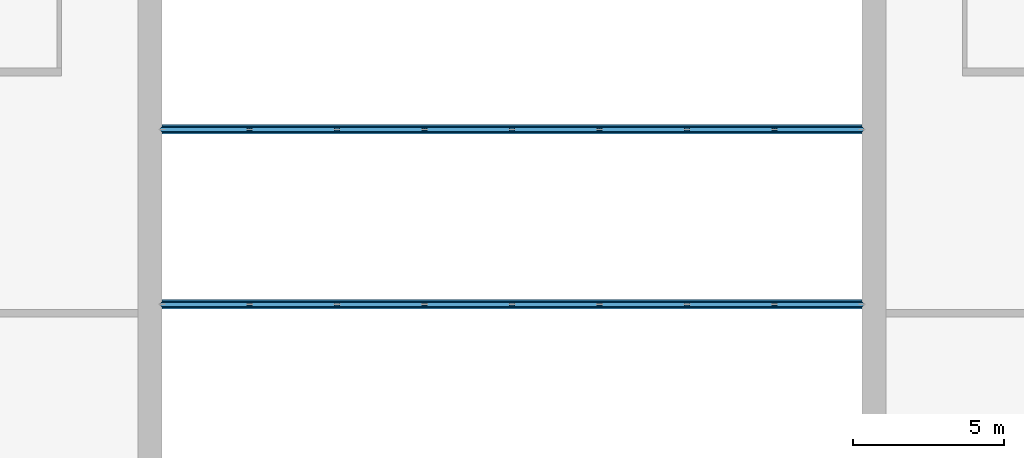
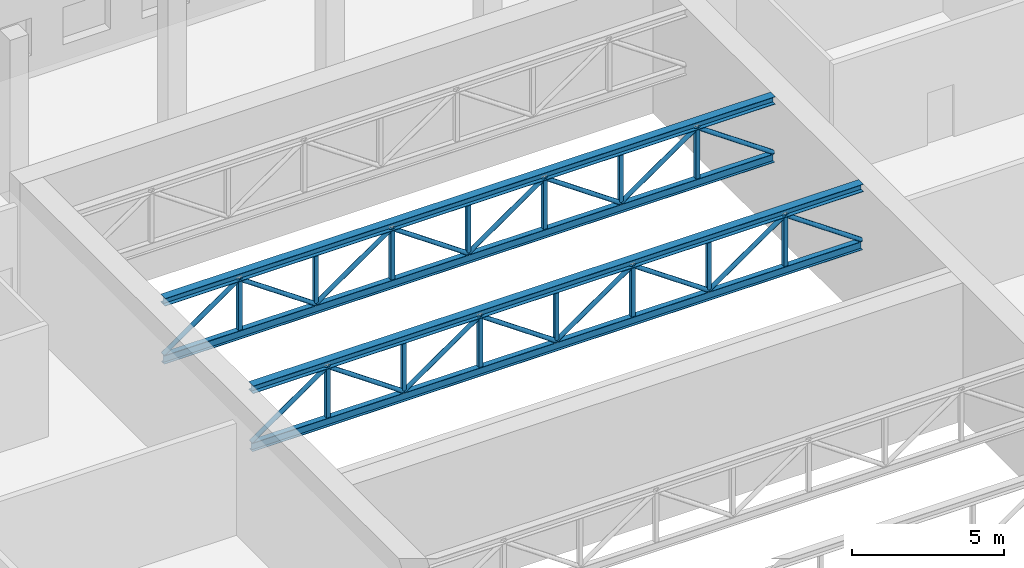
# One storey, part 6 of 35: 34 members.
"""IFC4 building model written with IfcOpenShell, lengths in metres."""

from ifc_helpers import new_model, si_unit, direction, frame, origin, origin_2d, place, context, subcontext, project, spatial, hollow_rectangle, hollow_circle, i_section, extrude, material, material_profile, profile_set, type_object, element, save


model = new_model("IFC4")

# Units and contexts
model_context = context("Model", 3, precision=1e-05, world=origin(), true_north=direction((0.0, 1.0)))
body_context = subcontext(model_context, "Body", "Model", "MODEL_VIEW")
ifc_project = project(units=[si_unit("LENGTHUNIT", "METRE"), si_unit("AREAUNIT", "SQUARE_METRE"), si_unit("VOLUMEUNIT", "CUBIC_METRE"), si_unit("PLANEANGLEUNIT", "RADIAN"), si_unit("MASSUNIT", "GRAM", prefix="KILO")], contexts=[model_context])

# Site, building, storey
site_placement = place(None, origin())
site = spatial("IfcSite", under=ifc_project, at=site_placement, CompositionType="ELEMENT")
building_placement = place(site_placement, origin())
building = spatial("IfcBuilding", under=site, at=building_placement, Name="Kiln Ring Residences", CompositionType="ELEMENT")
storey_placement = place(building_placement, frame((0.0, 0.0, 20.89990234375)))
storey = spatial("IfcBuildingStorey", under=building, at=storey_placement, Name="L04", CompositionType="ELEMENT", Elevation=20.89990234375)

# Members
ifc_material_1 = material(Name="Structural steel ASTM A992", Category="steel")
ifc_material_profile_1 = material_profile(ifc_material_1, i_section(OverallWidth=0.2041015625, OverallDepth=0.35009765625, WebThickness=0.008544921875, FlangeThickness=0.01513671875, at=origin_2d()), Name="W360x72")
ifc_profile_set_1 = profile_set([ifc_material_profile_1], Name="Structural steel ASTM A992")
member_type_1 = type_object("IfcMemberType", Name="Hall roof truss bottom chord W360x72", PredefinedType="CHORD", material=ifc_profile_set_1)
for number, where, z_axis, x_axis, name in (
    (1, (-11.60009765625, -138.89990234375, 3.050048828125), (1.0, 0.0, 0.0), (0.0, 1.0, 0.0), "Hall truss 4 bottom chord"),
    (2, (-11.60009765625, -133.10009765625, 3.050048828125), (1.0, 0.0, 0.0), (0.0, 1.0, 0.0), "Hall truss 5 bottom chord"),
):
    element("IfcMember", number, at=place(storey_placement, frame(where, z_axis=z_axis, x_axis=x_axis)), inside=storey, type_object=member_type_1, Name=name, PredefinedType="CHORD", context=body_context, shape_type="SweptSolid", body=[
        extrude(i_section(OverallWidth=0.2041015625, OverallDepth=0.35009765625, WebThickness=0.008544921875, FlangeThickness=0.01513671875, at=origin_2d()), origin(), (0.0, 0.0, 1.0), 23.2001953125),
    ])
ifc_material_2 = material(Name="Structural steel ASTM A500 Gr. C", Category="steel")
ifc_material_profile_2 = material_profile(ifc_material_2, hollow_circle(Radius=0.084228515625, WallThickness=0.007080078125, at=origin_2d()), Name="HSS168x7.1")
ifc_profile_set_2 = profile_set([ifc_material_profile_2], Name="Structural steel ASTM A500 Gr. C")
member_type_2 = type_object("IfcMemberType", Name="Hall roof truss diagonal HSS168x7.1", PredefinedType="BRACE", material=ifc_profile_set_2)
member_1_placement = place(storey_placement, frame((-11.60009765625, -138.89990234375, 3.22509765625), z_axis=(0.820958725483, 0.0, 0.570987540192), x_axis=(0.0, 1.0, 0.0)))
element("IfcMember", 3, at=member_1_placement, inside=storey, type_object=member_type_2, Name="Hall truss 4 diagonal 1", PredefinedType="BRACE", context=body_context, shape_type="SweptSolid", body=[
    extrude(hollow_circle(Radius=0.084228515625, WallThickness=0.007080078125, at=origin_2d()), origin(), (0.0, 0.0, 1.0), 3.53271484375),
])
member_2_placement = place(storey_placement, frame((-8.699951171875, -138.89990234375, 5.2421875), z_axis=(0.820936191826, 0.0, -0.571019937436), x_axis=(0.0, 1.0, 0.0)))
element("IfcMember", 4, at=member_2_placement, inside=storey, type_object=member_type_2, Name="Hall truss 4 diagonal 2", PredefinedType="BRACE", context=body_context, shape_type="SweptSolid", body=[
    extrude(hollow_circle(Radius=0.084228515625, WallThickness=0.007080078125, at=origin_2d()), origin(), (0.0, 0.0, 1.0), 3.532470703125),
])
member_3_placement = place(storey_placement, frame((-5.800048828125, -138.89990234375, 3.22509765625), z_axis=(0.820958725483, 0.0, 0.570987540192), x_axis=(0.0, 1.0, 0.0)))
element("IfcMember", 5, at=member_3_placement, inside=storey, type_object=member_type_2, Name="Hall truss 4 diagonal 3", PredefinedType="BRACE", context=body_context, shape_type="SweptSolid", body=[
    extrude(hollow_circle(Radius=0.084228515625, WallThickness=0.007080078125, at=origin_2d()), origin(), (0.0, 0.0, 1.0), 3.53271484375),
])
for number, where, z_axis, x_axis, name in (
    (6, (-2.89990234375, -138.89990234375, 5.2421875), (0.820936191826, 0.0, -0.571019937436), (0.0, 1.0, 0.0), "Hall truss 4 diagonal 4"),
    (7, (0.0, -138.89990234375, 3.22509765625), (0.820936191826, 0.0, 0.571019937436), (0.0, 1.0, 0.0), "Hall truss 4 diagonal 5"),
):
    element("IfcMember", number, at=place(storey_placement, frame(where, z_axis=z_axis, x_axis=x_axis)), inside=storey, type_object=member_type_2, Name=name, PredefinedType="BRACE", context=body_context, shape_type="SweptSolid", body=[
        extrude(hollow_circle(Radius=0.084228515625, WallThickness=0.007080078125, at=origin_2d()), origin(), (0.0, 0.0, 1.0), 3.532470703125),
    ])
member_4_placement = place(storey_placement, frame((2.89990234375, -138.89990234375, 5.2421875), z_axis=(0.820958725483, 0.0, -0.570987540192), x_axis=(0.0, 1.0, 0.0)))
element("IfcMember", 8, at=member_4_placement, inside=storey, type_object=member_type_2, Name="Hall truss 4 diagonal 6", PredefinedType="BRACE", context=body_context, shape_type="SweptSolid", body=[
    extrude(hollow_circle(Radius=0.084228515625, WallThickness=0.007080078125, at=origin_2d()), origin(), (0.0, 0.0, 1.0), 3.53271484375),
])
member_5_placement = place(storey_placement, frame((5.800048828125, -138.89990234375, 3.22509765625), z_axis=(0.820936191826, 0.0, 0.571019937436), x_axis=(0.0, 1.0, 0.0)))
element("IfcMember", 9, at=member_5_placement, inside=storey, type_object=member_type_2, Name="Hall truss 4 diagonal 7", PredefinedType="BRACE", context=body_context, shape_type="SweptSolid", body=[
    extrude(hollow_circle(Radius=0.084228515625, WallThickness=0.007080078125, at=origin_2d()), origin(), (0.0, 0.0, 1.0), 3.532470703125),
])
for number, where, z_axis, x_axis, name in (
    (10, (8.699951171875, -138.89990234375, 5.2421875), (0.820958725483, 0.0, -0.570987540192), (0.0, 1.0, 0.0), "Hall truss 4 diagonal 8"),
    (11, (-11.60009765625, -133.10009765625, 3.22509765625), (0.820958725483, 0.0, 0.570987540192), (0.0, 1.0, 0.0), "Hall truss 5 diagonal 1"),
):
    element("IfcMember", number, at=place(storey_placement, frame(where, z_axis=z_axis, x_axis=x_axis)), inside=storey, type_object=member_type_2, Name=name, PredefinedType="BRACE", context=body_context, shape_type="SweptSolid", body=[
        extrude(hollow_circle(Radius=0.084228515625, WallThickness=0.007080078125, at=origin_2d()), origin(), (0.0, 0.0, 1.0), 3.53271484375),
    ])
member_6_placement = place(storey_placement, frame((-8.699951171875, -133.10009765625, 5.2421875), z_axis=(0.820936191826, 0.0, -0.571019937436), x_axis=(0.0, 1.0, 0.0)))
element("IfcMember", 12, at=member_6_placement, inside=storey, type_object=member_type_2, Name="Hall truss 5 diagonal 2", PredefinedType="BRACE", context=body_context, shape_type="SweptSolid", body=[
    extrude(hollow_circle(Radius=0.084228515625, WallThickness=0.007080078125, at=origin_2d()), origin(), (0.0, 0.0, 1.0), 3.532470703125),
])
member_7_placement = place(storey_placement, frame((-5.800048828125, -133.10009765625, 3.22509765625), z_axis=(0.820958725483, 0.0, 0.570987540192), x_axis=(0.0, 1.0, 0.0)))
element("IfcMember", 13, at=member_7_placement, inside=storey, type_object=member_type_2, Name="Hall truss 5 diagonal 3", PredefinedType="BRACE", context=body_context, shape_type="SweptSolid", body=[
    extrude(hollow_circle(Radius=0.084228515625, WallThickness=0.007080078125, at=origin_2d()), origin(), (0.0, 0.0, 1.0), 3.53271484375),
])
for number, where, z_axis, x_axis, name in (
    (14, (-2.89990234375, -133.10009765625, 5.2421875), (0.820936191826, 0.0, -0.571019937436), (0.0, 1.0, 0.0), "Hall truss 5 diagonal 4"),
    (15, (0.0, -133.10009765625, 3.22509765625), (0.820936191826, 0.0, 0.571019937436), (0.0, 1.0, 0.0), "Hall truss 5 diagonal 5"),
):
    element("IfcMember", number, at=place(storey_placement, frame(where, z_axis=z_axis, x_axis=x_axis)), inside=storey, type_object=member_type_2, Name=name, PredefinedType="BRACE", context=body_context, shape_type="SweptSolid", body=[
        extrude(hollow_circle(Radius=0.084228515625, WallThickness=0.007080078125, at=origin_2d()), origin(), (0.0, 0.0, 1.0), 3.532470703125),
    ])
member_8_placement = place(storey_placement, frame((2.89990234375, -133.10009765625, 5.2421875), z_axis=(0.820958725483, 0.0, -0.570987540192), x_axis=(0.0, 1.0, 0.0)))
element("IfcMember", 16, at=member_8_placement, inside=storey, type_object=member_type_2, Name="Hall truss 5 diagonal 6", PredefinedType="BRACE", context=body_context, shape_type="SweptSolid", body=[
    extrude(hollow_circle(Radius=0.084228515625, WallThickness=0.007080078125, at=origin_2d()), origin(), (0.0, 0.0, 1.0), 3.53271484375),
])
member_9_placement = place(storey_placement, frame((5.800048828125, -133.10009765625, 3.22509765625), z_axis=(0.820936191826, 0.0, 0.571019937436), x_axis=(0.0, 1.0, 0.0)))
element("IfcMember", 17, at=member_9_placement, inside=storey, type_object=member_type_2, Name="Hall truss 5 diagonal 7", PredefinedType="BRACE", context=body_context, shape_type="SweptSolid", body=[
    extrude(hollow_circle(Radius=0.084228515625, WallThickness=0.007080078125, at=origin_2d()), origin(), (0.0, 0.0, 1.0), 3.532470703125),
])
member_10_placement = place(storey_placement, frame((8.699951171875, -133.10009765625, 5.2421875), z_axis=(0.820958725483, 0.0, -0.570987540192), x_axis=(0.0, 1.0, 0.0)))
element("IfcMember", 18, at=member_10_placement, inside=storey, type_object=member_type_2, Name="Hall truss 5 diagonal 8", PredefinedType="BRACE", context=body_context, shape_type="SweptSolid", body=[
    extrude(hollow_circle(Radius=0.084228515625, WallThickness=0.007080078125, at=origin_2d()), origin(), (0.0, 0.0, 1.0), 3.53271484375),
])
ifc_material_3 = material(Name="Structural steel ASTM A500 Gr. C", Category="steel")
ifc_material_profile_3 = material_profile(ifc_material_3, hollow_rectangle(XDim=0.152099609375, YDim=0.152099609375, WallThickness=0.0078125, at=origin_2d()), Name="HSS152x152x7.9")
ifc_profile_set_3 = profile_set([ifc_material_profile_3], Name="Structural steel ASTM A500 Gr. C")
member_type_3 = type_object("IfcMemberType", Name="Hall roof truss post HSS152x152x7.9", PredefinedType="POST", material=ifc_profile_set_3)
for number, where, z_axis, x_axis, name in (
    (19, (-8.699951171875, -138.89990234375, 3.22509765625), (0.0, 0.0, 1.0), (1.0, 0.0, 0.0), "Hall truss 4 post 1"),
    (20, (-5.800048828125, -138.89990234375, 3.22509765625), (0.0, 0.0, 1.0), (1.0, 0.0, 0.0), "Hall truss 4 post 2"),
    (21, (-2.89990234375, -138.89990234375, 3.22509765625), (0.0, 0.0, 1.0), (1.0, 0.0, 0.0), "Hall truss 4 post 3"),
    (22, (0.0, -138.89990234375, 3.22509765625), (0.0, 0.0, 1.0), (1.0, 0.0, 0.0), "Hall truss 4 post 4"),
    (23, (2.89990234375, -138.89990234375, 3.22509765625), (0.0, 0.0, 1.0), (1.0, 0.0, 0.0), "Hall truss 4 post 5"),
    (24, (5.800048828125, -138.89990234375, 3.22509765625), (0.0, 0.0, 1.0), (1.0, 0.0, 0.0), "Hall truss 4 post 6"),
    (25, (8.699951171875, -138.89990234375, 3.22509765625), (0.0, 0.0, 1.0), (1.0, 0.0, 0.0), "Hall truss 4 post 7"),
    (26, (-8.699951171875, -133.10009765625, 3.22509765625), (0.0, 0.0, 1.0), (1.0, 0.0, 0.0), "Hall truss 5 post 1"),
    (27, (-5.800048828125, -133.10009765625, 3.22509765625), (0.0, 0.0, 1.0), (1.0, 0.0, 0.0), "Hall truss 5 post 2"),
    (28, (-2.89990234375, -133.10009765625, 3.22509765625), (0.0, 0.0, 1.0), (1.0, 0.0, 0.0), "Hall truss 5 post 3"),
    (29, (0.0, -133.10009765625, 3.22509765625), (0.0, 0.0, 1.0), (1.0, 0.0, 0.0), "Hall truss 5 post 4"),
    (30, (2.89990234375, -133.10009765625, 3.22509765625), (0.0, 0.0, 1.0), (1.0, 0.0, 0.0), "Hall truss 5 post 5"),
    (31, (5.800048828125, -133.10009765625, 3.22509765625), (0.0, 0.0, 1.0), (1.0, 0.0, 0.0), "Hall truss 5 post 6"),
    (32, (8.699951171875, -133.10009765625, 3.22509765625), (0.0, 0.0, 1.0), (1.0, 0.0, 0.0), "Hall truss 5 post 7"),
):
    element("IfcMember", number, at=place(storey_placement, frame(where, z_axis=z_axis, x_axis=x_axis)), inside=storey, type_object=member_type_3, Name=name, PredefinedType="POST", context=body_context, shape_type="SweptSolid", body=[
        extrude(hollow_rectangle(XDim=0.152099609375, YDim=0.152099609375, WallThickness=0.0078125, at=origin_2d()), origin(), (0.0, 0.0, 1.0), 2.01708984375),
    ])
ifc_material_4 = material(Name="Structural steel ASTM A992", Category="steel")
ifc_material_profile_4 = material_profile(ifc_material_4, i_section(OverallWidth=0.304931640625, OverallDepth=0.30810546875, WebThickness=0.010009765625, FlangeThickness=0.015380859375, at=origin_2d()), Name="W310x97")
ifc_profile_set_4 = profile_set([ifc_material_profile_4], Name="Structural steel ASTM A992")
member_type_4 = type_object("IfcMemberType", Name="Hall roof truss top chord W310x97", PredefinedType="CHORD", material=ifc_profile_set_4)
for number, where, z_axis, x_axis, name in (
    (33, (-11.60009765625, -138.89990234375, 5.39599609375), (1.0, 0.0, 0.0), (0.0, 1.0, 0.0), "Hall truss 4 top chord"),
    (34, (-11.60009765625, -133.10009765625, 5.39599609375), (1.0, 0.0, 0.0), (0.0, 1.0, 0.0), "Hall truss 5 top chord"),
):
    element("IfcMember", number, at=place(storey_placement, frame(where, z_axis=z_axis, x_axis=x_axis)), inside=storey, type_object=member_type_4, Name=name, PredefinedType="CHORD", context=body_context, shape_type="SweptSolid", body=[
        extrude(i_section(OverallWidth=0.304931640625, OverallDepth=0.30810546875, WebThickness=0.010009765625, FlangeThickness=0.015380859375, at=origin_2d()), origin(), (0.0, 0.0, 1.0), 23.2001953125),
    ])

save(model, "model.ifc")
